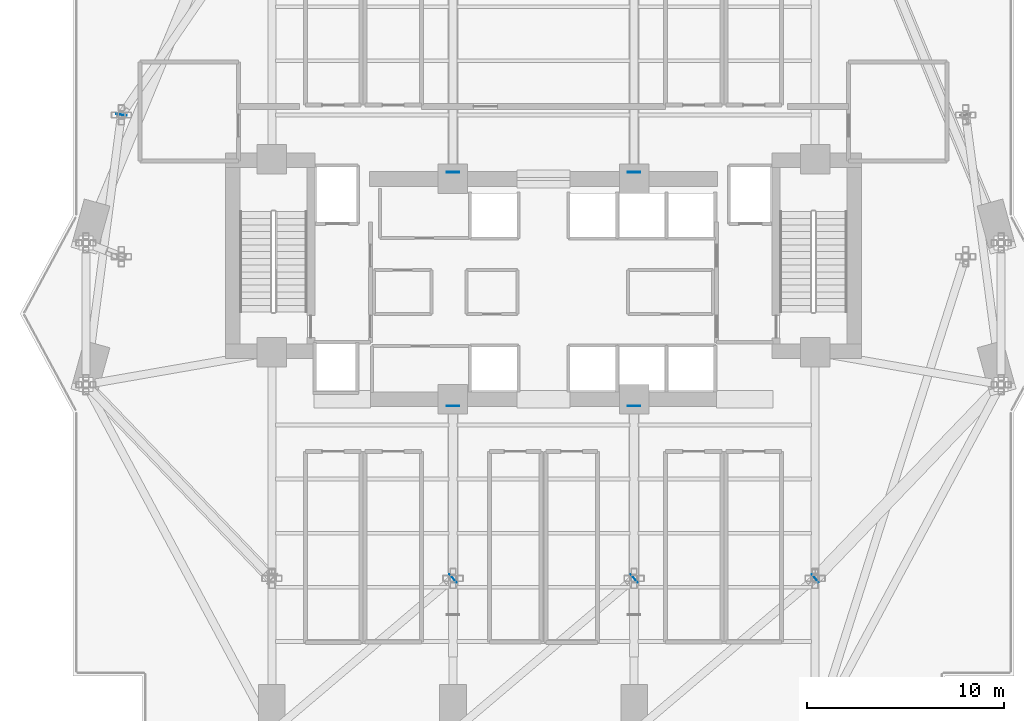
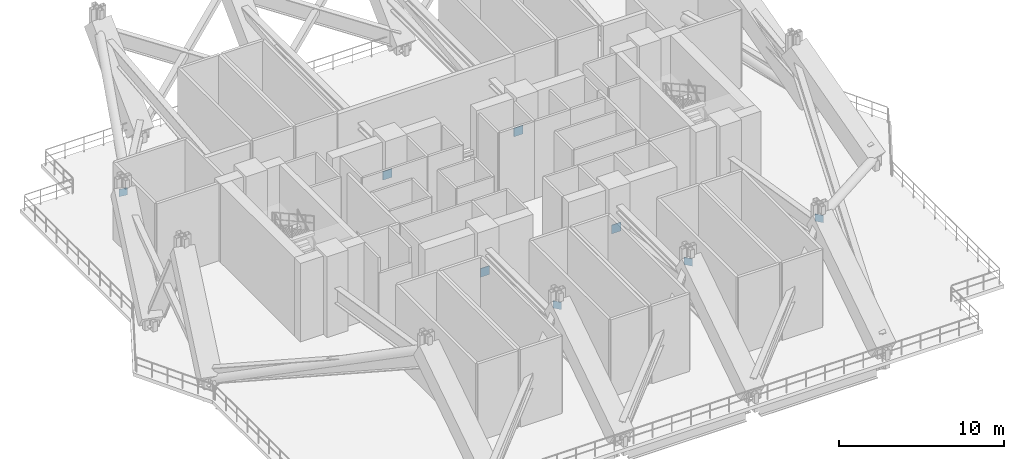
# One storey, part 10 of 18: 8 plates.
"""IFC4 building model written with IfcOpenShell, lengths in metres."""

from ifc_helpers import new_model, si_unit, direction, frame, origin, origin_2d, place, context, subcontext, project, spatial, rectangle, extrude, material, layer, layer_set, type_object, element, save


model = new_model("IFC4")

# Units and contexts
model_context = context("Model", 3, precision=1e-05, world=origin(), true_north=direction((0.0, 1.0)))
body_context = subcontext(model_context, "Body", "Model", "MODEL_VIEW")
ifc_project = project(units=[si_unit("LENGTHUNIT", "METRE"), si_unit("AREAUNIT", "SQUARE_METRE"), si_unit("VOLUMEUNIT", "CUBIC_METRE"), si_unit("PLANEANGLEUNIT", "RADIAN"), si_unit("MASSUNIT", "GRAM", prefix="KILO")], contexts=[model_context])

# Site, building, storey
site_placement = place(None, origin())
site = spatial("IfcSite", under=ifc_project, at=site_placement, CompositionType="ELEMENT")
building_placement = place(site_placement, origin())
building = spatial("IfcBuilding", under=site, at=building_placement, Name="Zuhayl Quay Hotel", CompositionType="ELEMENT")
storey_placement = place(building_placement, frame((0.0, 0.0, 162.199951171875)))
storey = spatial("IfcBuildingStorey", under=building, at=storey_placement, Name="L41", CompositionType="ELEMENT", Elevation=162.199951171875)

# Plates
ifc_material = material(Name="Steel ASTM A572 Grade 50", Category="steel")
ifc_layer_1 = layer(ifc_material, 0.030029296875, Name="Steel ASTM A572 Grade 50", Category="steel")
ifc_layer_set_1 = layer_set([ifc_layer_1], Name="Steel ASTM A572 Grade 50")
plate_type_1 = type_object("IfcPlateType", Name="TP_CAP_PLATE_30", PredefinedType="USERDEFINED", material=ifc_layer_set_1)
for number, where, z_axis, x_axis, name in (
    (1, (-4.591552734375, -6.94287109375, 5.1845703125), (0.0, 0.0, 1.0), (0.762781204191, 0.646656658925, 0.0), "Truss Node Cap Assembly KN2"),
    (2, (4.6083984375, -6.94287109375, 5.1845703125), (0.0, 0.0, 1.0), (0.762781204191, 0.646656658925, 0.0), "Truss Node Cap Assembly KN2"),
    (3, (13.80859375, -6.94287109375, 5.1845703125), (0.0, 0.0, 1.0), (0.762781204191, 0.646656658925, 0.0), "Truss Node Cap Assembly KN2"),
    (4, (-21.448486328125, 16.611083984375, 5.18408203125), (0.0, 0.0, 1.0), (0.130353150461, 0.991467627391, 0.0), "Truss Node Cap Assembly KN2"),
):
    element("IfcPlate", number, at=place(storey_placement, frame(where, z_axis=z_axis, x_axis=x_axis)), inside=storey, type_object=plate_type_1, Name=name, ObjectType="GUSSET PLATE", PredefinedType="USERDEFINED", context=body_context, shape_type="SweptSolid", body=[
        extrude(rectangle(XDim=0.030029296875, YDim=0.5400390625, at=origin_2d()), origin(), (0.0, 0.0, 1.0), 0.5400390625),
    ])
ifc_layer_2 = layer(ifc_material, 0.0400390625, Name="Steel ASTM A572 Grade 50", Category="steel")
ifc_layer_set_2 = layer_set([ifc_layer_2], Name="Steel ASTM A572 Grade 50")
plate_type_2 = type_object("IfcPlateType", Name="TP_CAP_PLATE_40", PredefinedType="USERDEFINED", material=ifc_layer_set_2)
for number, where, z_axis, x_axis, name in (
    (5, (-4.60009765625, 13.68408203125, 2.32861328125), (0.0, 0.0, 1.0), (0.0, -1.0, 0.0), "Truss Node Cap Assembly KN1"),
    (6, (-4.60009765625, 1.81591796875, 2.32763671875), (0.0, 0.0, 1.0), (0.0, 1.0, 0.0), "Truss Node Cap Assembly KN1"),
    (7, (4.60009765625, 13.68408203125, 2.32861328125), (0.0, 0.0, 1.0), (0.0, -1.0, 0.0), "Truss Node Cap Assembly KN1"),
    (8, (4.60009765625, 1.81591796875, 2.32763671875), (0.0, 0.0, 1.0), (0.0, 1.0, 0.0), "Truss Node Cap Assembly KN1"),
):
    element("IfcPlate", number, at=place(storey_placement, frame(where, z_axis=z_axis, x_axis=x_axis)), inside=storey, type_object=plate_type_2, Name=name, ObjectType="GUSSET PLATE", PredefinedType="USERDEFINED", context=body_context, shape_type="SweptSolid", body=[
        extrude(rectangle(XDim=0.0400390625, YDim=0.639892578125, at=origin_2d()), origin(), (0.0, 0.0, 1.0), 0.639892578125),
    ])

save(model, "model.ifc")
